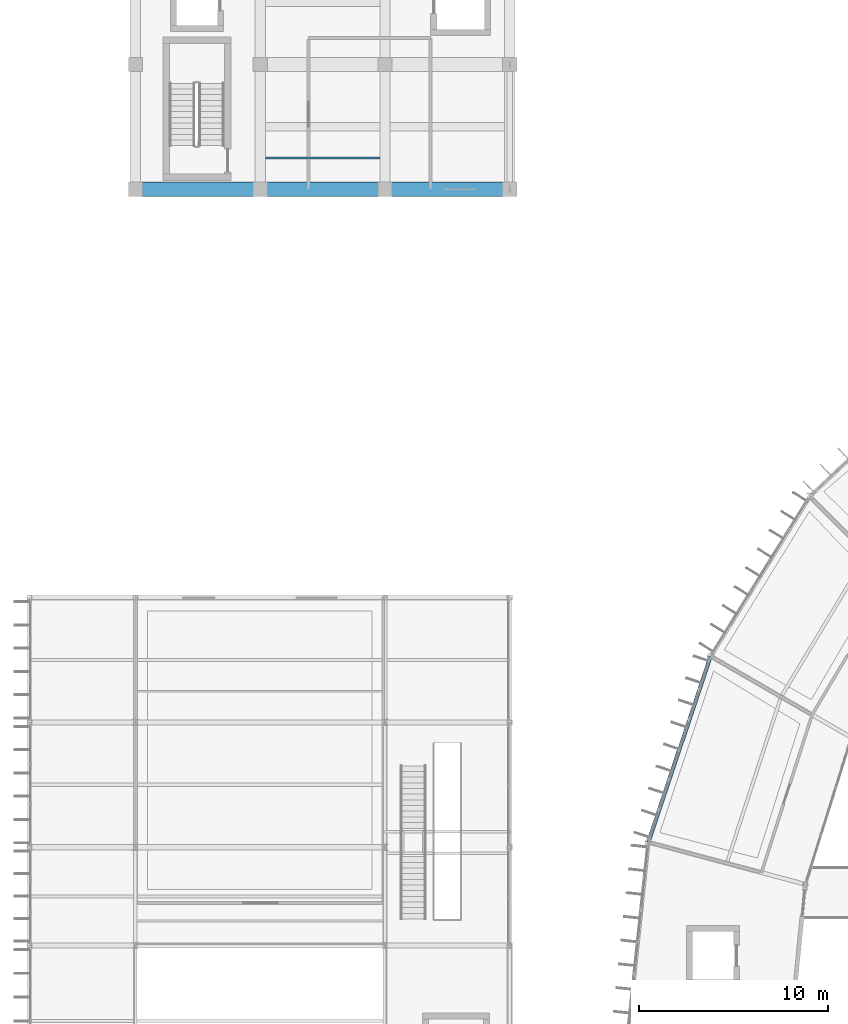
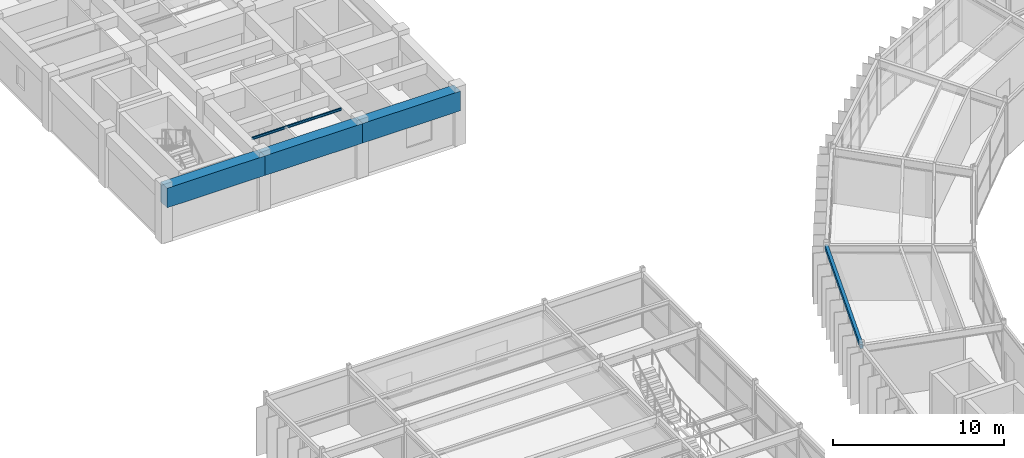
# One storey, part 72 of 148: 5 beams.
"""IFC4 building model written with IfcOpenShell, lengths in metres."""

from ifc_helpers import new_model, si_unit, direction, frame, origin, origin_2d, place, context, subcontext, project, spatial, rectangle, hollow_rectangle, i_section, extrude, material, material_profile, profile_set, type_object, element, save


model = new_model("IFC4")

# Units and contexts
model_context = context("Model", 3, precision=1e-05, world=origin(), true_north=direction((0.0, 1.0)))
body_context = subcontext(model_context, "Body", "Model", "MODEL_VIEW")
ifc_project = project(units=[si_unit("LENGTHUNIT", "METRE"), si_unit("AREAUNIT", "SQUARE_METRE"), si_unit("VOLUMEUNIT", "CUBIC_METRE"), si_unit("PLANEANGLEUNIT", "RADIAN"), si_unit("MASSUNIT", "GRAM", prefix="KILO")], contexts=[model_context])

# Site, building, storey
site_placement = place(None, origin())
site = spatial("IfcSite", under=ifc_project, at=site_placement, CompositionType="ELEMENT")
building_placement = place(site_placement, origin())
building = spatial("IfcBuilding", under=site, at=building_placement, Name="Karori Crest Natural Sciences Institute", CompositionType="ELEMENT")
storey_placement = place(building_placement, frame((0.0, 0.0, 4.89990234375)))
storey = spatial("IfcBuildingStorey", under=building, at=storey_placement, Name="L01", CompositionType="ELEMENT", Elevation=4.89990234375)

# Beams
ifc_material_1 = material(Name="Hollow structural steel AS/NZS 1163 Grade C350", Category="steel")
ifc_material_profile_1 = material_profile(ifc_material_1, hollow_rectangle(XDim=0.199951171875, YDim=0.300048828125, WallThickness=0.010009765625, at=origin_2d()), Name="RHS300x200x10")
ifc_profile_set_1 = profile_set([ifc_material_profile_1], Name="Hollow structural steel AS/NZS 1163 Grade C350")
beam_type_1 = type_object("IfcBeamType", Name="BT-15", PredefinedType="SPANDREL", material=ifc_profile_set_1)
beam_1_placement = place(storey_placement, frame((37.8212890625, 70.300048828125, 3.7900390625), z_axis=(-0.317681238028, -0.948197569605, 0.0), x_axis=(0.948197569605, -0.317681238028, 0.0)))
element("IfcBeam", 1, at=beam_1_placement, inside=storey, type_object=beam_type_1, Name="Beam B-0219", PredefinedType="SPANDREL", context=body_context, shape_type="SweptSolid", body=[
    extrude(hollow_rectangle(XDim=0.199951171875, YDim=0.300048828125, WallThickness=0.010009765625, at=origin_2d()), origin(), (0.0, 0.0, 1.0), 10.3779296875),
])
ifc_material_2 = material(Name="Concrete 50 MPa", Category="concrete")
ifc_material_profile_2 = material_profile(ifc_material_2, rectangle(XDim=0.75, YDim=1.39990234375, at=origin_2d()), Name="RCB750x1400")
ifc_profile_set_2 = profile_set([ifc_material_profile_2], Name="Concrete 50 MPa")
beam_type_2 = type_object("IfcBeamType", Name="BT-17", PredefinedType="BEAM", material=ifc_profile_set_2)
for number, where, z_axis, x_axis, name in (
    (2, (7.39990234375, 95.0, 3.150146484375), (1.0, 0.0, 0.0), (0.0, 1.0, 0.0), "Beam B-1449"),
    (3, (14.0, 95.0, 3.150146484375), (1.0, 0.0, 0.0), (0.0, 1.0, 0.0), "Beam B-1450"),
):
    element("IfcBeam", number, at=place(storey_placement, frame(where, z_axis=z_axis, x_axis=x_axis)), inside=storey, type_object=beam_type_2, Name=name, PredefinedType="BEAM", context=body_context, shape_type="SweptSolid", body=[
        extrude(rectangle(XDim=0.75, YDim=1.39990234375, at=origin_2d()), origin(), (0.0, 0.0, 1.0), 6.60009765625),
    ])
beam_2_placement = place(storey_placement, frame((20.60009765625, 95.0, 3.150146484375), z_axis=(1.0, 0.0, 0.0), x_axis=(0.0, 1.0, 0.0)))
element("IfcBeam", 4, at=beam_2_placement, inside=storey, type_object=beam_type_2, Name="Beam B-1451", PredefinedType="BEAM", context=body_context, shape_type="SweptSolid", body=[
    extrude(rectangle(XDim=0.75, YDim=1.39990234375, at=origin_2d()), origin(), (0.0, 0.0, 1.0), 6.599853515625),
])
ifc_material_3 = material(Name="Structural steel AS/NZS 3679.1 Grade 350", Category="steel")
ifc_material_profile_3 = material_profile(ifc_material_3, i_section(OverallWidth=0.090087890625, OverallDepth=0.175048828125, WebThickness=0.0048828125, FlangeThickness=0.008056640625, FilletRadius=0.009033203125, at=origin_2d()), Name="180UB18.1")
ifc_profile_set_3 = profile_set([ifc_material_profile_3], Name="Structural steel AS/NZS 3679.1 Grade 350")
beam_type_3 = type_object("IfcBeamType", Name="BT-31", PredefinedType="LINTEL", material=ifc_profile_set_3)
beam_3_placement = place(storey_placement, frame((14.27490234375, 96.64990234375, 3.7626953125), z_axis=(1.0, 0.0, 0.0), x_axis=(0.0, 1.0, 0.0)))
element("IfcBeam", 5, at=beam_3_placement, inside=storey, type_object=beam_type_3, Name="Beam B-1528", PredefinedType="LINTEL", context=body_context, shape_type="SweptSolid", body=[
    extrude(i_section(OverallWidth=0.090087890625, OverallDepth=0.175048828125, WebThickness=0.0048828125, FlangeThickness=0.008056640625, FilletRadius=0.009033203125, at=origin_2d()), origin(), (0.0, 0.0, 1.0), 6.050048828125),
])

save(model, "model.ifc")
